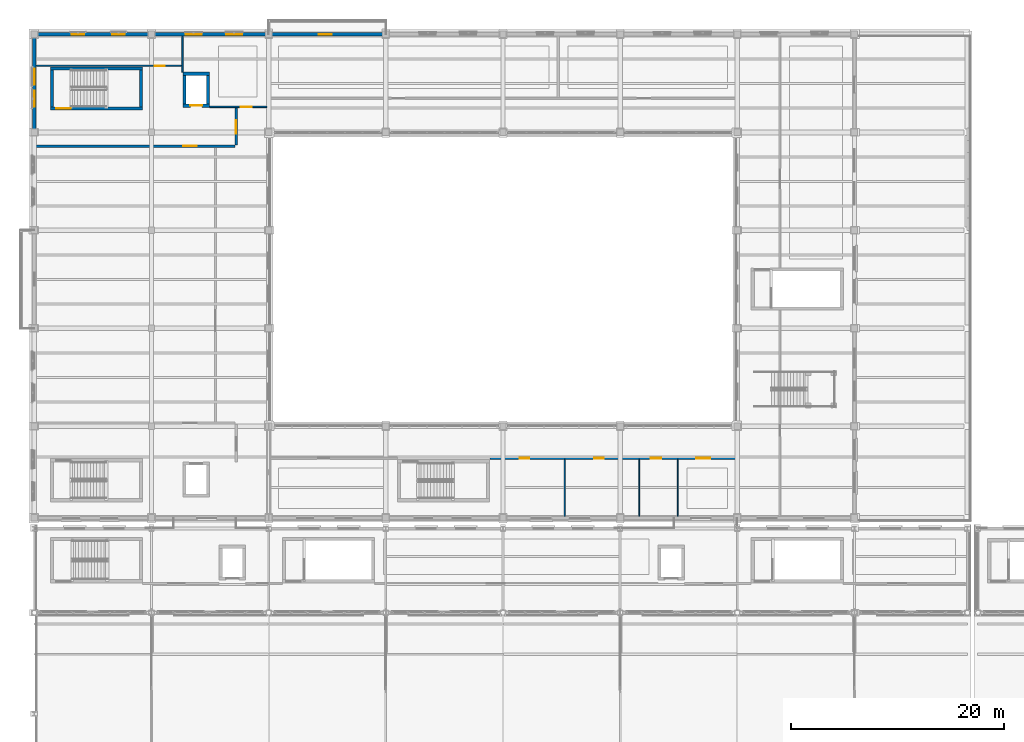
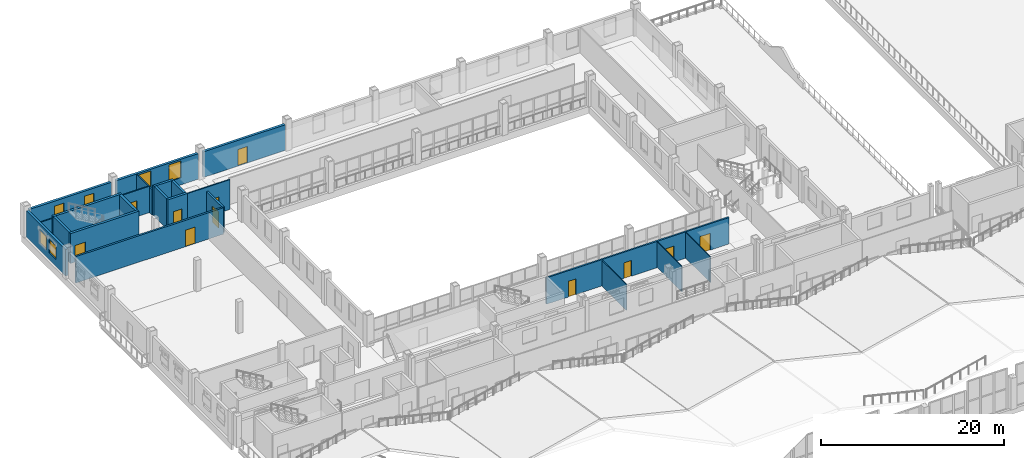
# One storey, part 98 of 120: 21 walls, 11 doors, 6 windows, 17 openings.
"""IFC4 building model written with IfcOpenShell, lengths in metres."""

from ifc_helpers import new_model, si_unit, direction, frame, frame_2d, origin, place, context, subcontext, project, spatial, rectangle, extrude, material, layer, layer_set, type_object, element, fill, save


model = new_model("IFC4")

# Units and contexts
model_context = context("Model", 3, precision=1e-05, world=origin(), true_north=direction((0.0, 1.0)))
body_context = subcontext(model_context, "Body", "Model", "MODEL_VIEW")
ifc_project = project(units=[si_unit("LENGTHUNIT", "METRE"), si_unit("AREAUNIT", "SQUARE_METRE"), si_unit("VOLUMEUNIT", "CUBIC_METRE"), si_unit("PLANEANGLEUNIT", "RADIAN"), si_unit("MASSUNIT", "GRAM", prefix="KILO")], contexts=[model_context])

# Site, building, storey
site_placement = place(None, origin())
site = spatial("IfcSite", under=ifc_project, at=site_placement, CompositionType="ELEMENT")
building_placement = place(site_placement, origin())
building = spatial("IfcBuilding", under=site, at=building_placement, Name="Caurita Quay Ferry Terminal", CompositionType="ELEMENT")
storey_placement = place(building_placement, frame((0.0, 0.0, 9.89990234375)))
storey = spatial("IfcBuildingStorey", under=building, at=storey_placement, Name="L02", CompositionType="ELEMENT", Elevation=9.89990234375)

# Wall, opening, door
ifc_material_1 = material(Name="Warm-white lime stucco masonry", Category="masonry")
ifc_layer_1 = layer(ifc_material_1, 0.239990234375, Name="Interior partitioning wall 240 mm")
ifc_layer_set_1 = layer_set([ifc_layer_1], Name="Warm-white lime stucco masonry")
wall_type_1 = type_object("IfcWallType", Name="WL-COMP-240", PredefinedType="PARTITIONING", material=ifc_layer_set_1)
wall_1_placement = place(storey_placement, frame((0.159912109375, 106.5, 0.0), z_axis=(0.0, 0.0, 1.0), x_axis=(1.0, 0.0, 0.0)))
wall_1 = element("IfcWall", 1, at=wall_1_placement, inside=storey, type_object=wall_type_1, Name="L02 Interior Partition IW-L02-081", PredefinedType="PARTITIONING", context=body_context, shape_type="SweptSolid", body=[
    extrude(rectangle(XDim=18.6650390625, YDim=0.239990234375, at=frame_2d((9.33251953125, 0.0))), origin(), (0.0, 0.0, 1.0), 3.525146484375),
])
opening_1_placement = place(wall_1_placement, frame((13.840087890625, 0.0, 0.0)))
opening_1 = element("IfcOpeningElement", 2, at=opening_1_placement, cuts=wall_1, Name="Opening FD-01", PredefinedType="OPENING", context=body_context, shape_type="SweptSolid", body=[
    extrude(rectangle(XDim=1.25, YDim=2.199951171875, at=frame_2d((0.625, 1.10009765625))), frame((0.0, 0.1298828125, 0.0), z_axis=(0.0, -1.0, 0.0), x_axis=(1.0, 0.0, 0.0)), (0.0, 0.0, 1.0), 0.260009765625),
])
ifc_material_2 = material(Name="Anodized aluminium 6063-T6", Category="aluminium")
door_type_1 = type_object("IfcDoorType", Name="DR-FF-1100", OperationType="NOTDEFINED", PredefinedType="DOOR", material=ifc_material_2)
door_1_placement = place(opening_1_placement, frame((1.25, 0.0, 0.0), z_axis=(0.0, 0.0, 1.0), x_axis=(-1.0, 0.0, 0.0)))
door_1 = element("IfcDoor", 3, at=door_1_placement, inside=storey, type_object=door_type_1, Name="Firefighting Lobby L02 North Door", OperationType="SINGLE_SWING_RIGHT", OverallHeight=2.199951171875, OverallWidth=1.25, PredefinedType="DOOR", context=body_context, shape_type="SweptSolid", body=[
    extrude(rectangle(XDim=1.25, YDim=2.199951171875, at=frame_2d((0.625, 1.10009765625))), frame((0.0, 0.02490234375, 0.0), z_axis=(0.0, -1.0, 0.0), x_axis=(1.0, 0.0, 0.0)), (0.0, 0.0, 1.0), 0.050048828125),
])
fill(opening_1, door_1)

wall_2_placement = place(storey_placement, frame((18.949951171875, 106.625, 0.0), z_axis=(0.0, 0.0, 1.0), x_axis=(0.0, 1.0, 0.0)))
wall_2 = element("IfcWall", 4, at=wall_2_placement, inside=storey, type_object=wall_type_1, Name="L02 Interior Partition IW-L02-084", PredefinedType="PARTITIONING", context=body_context, shape_type="SweptSolid", body=[
    extrude(rectangle(XDim=3.49755859375, YDim=0.239990234375, at=frame_2d((1.748779296875, 0.0))), origin(), (0.0, 0.0, 1.0), 3.425048828125),
])
opening_2_placement = place(wall_2_placement, frame((1.054931640625, 0.0, 0.0)))
opening_2 = element("IfcOpeningElement", 5, at=opening_2_placement, cuts=wall_2, Name="Opening FD-01", PredefinedType="OPENING", context=body_context, shape_type="SweptSolid", body=[
    extrude(rectangle(XDim=1.25, YDim=2.199951171875, at=frame_2d((0.625, 1.10009765625))), frame((0.0, 0.1298828125, 0.0), z_axis=(0.0, -1.0, 0.0), x_axis=(1.0, 0.0, 0.0)), (0.0, 0.0, 1.0), 0.260009765625),
])
door_2_placement = place(opening_2_placement, origin())
door_2 = element("IfcDoor", 6, at=door_2_placement, inside=storey, type_object=door_type_1, Name="Firefighting Lobby L02 North East Door", OperationType="SINGLE_SWING_LEFT", OverallHeight=2.199951171875, OverallWidth=1.25, PredefinedType="DOOR", context=body_context, shape_type="SweptSolid", body=[
    extrude(rectangle(XDim=1.25, YDim=2.199951171875, at=frame_2d((0.625, 1.10009765625))), frame((0.0, 0.02490234375, 0.0), z_axis=(0.0, -1.0, 0.0), x_axis=(1.0, 0.0, 0.0)), (0.0, 0.0, 1.0), 0.050048828125),
])
fill(opening_2, door_2)

ifc_material_3 = material(Name="Reinforced concrete C35/45", Category="concrete")
ifc_layer_2 = layer(ifc_material_3, 0.300048828125, Name="Interior shear wall 300 mm")
ifc_layer_set_2 = layer_set([ifc_layer_2], Name="Reinforced concrete C35/45")
wall_type_2 = type_object("IfcWallType", Name="WL-CORE-300", PredefinedType="SHEAR", material=ifc_layer_set_2)
wall_3_placement = place(storey_placement, frame((1.5, 110.050048828125, 0.0), z_axis=(0.0, 0.0, 1.0), x_axis=(1.0, 0.0, 0.0)))
wall_3 = element("IfcWall", 7, at=wall_3_placement, inside=storey, type_object=wall_type_2, Name="L02 ST-01 Core Wall South", PredefinedType="SHEAR", context=body_context, shape_type="SweptSolid", body=[
    extrude(rectangle(XDim=8.64990234375, YDim=0.300048828125, at=frame_2d((4.324951171875, 0.0))), origin(), (0.0, 0.0, 1.0), 3.97998046875),
])
opening_3_placement = place(wall_3_placement, frame((0.550048828125, 0.0, 0.0)))
opening_3 = element("IfcOpeningElement", 8, at=opening_3_placement, cuts=wall_3, Name="Opening SD-01", PredefinedType="OPENING", context=body_context, shape_type="SweptSolid", body=[
    extrude(rectangle(XDim=1.35009765625, YDim=2.199951171875, at=frame_2d((0.675048828125, 1.10009765625))), frame((0.0, 0.159912109375, 0.0), z_axis=(0.0, -1.0, 0.0), x_axis=(1.0, 0.0, 0.0)), (0.0, 0.0, 1.0), 0.320068359375),
])
door_type_2 = type_object("IfcDoorType", Name="DR-ST-1200", OperationType="NOTDEFINED", PredefinedType="DOOR", material=ifc_material_2)
door_3_placement = place(opening_3_placement, origin())
door_3 = element("IfcDoor", 9, at=door_3_placement, inside=storey, type_object=door_type_2, Name="L02 Exit Stair ST-01 Fire Door", OperationType="SINGLE_SWING_LEFT", OverallHeight=2.199951171875, OverallWidth=1.35009765625, PredefinedType="DOOR", context=body_context, shape_type="SweptSolid", body=[
    extrude(rectangle(XDim=1.35009765625, YDim=2.199951171875, at=frame_2d((0.675048828125, 1.10009765625))), frame((0.0, 0.02490234375, 0.0), z_axis=(0.0, -1.0, 0.0), x_axis=(1.0, 0.0, 0.0)), (0.0, 0.0, 1.0), 0.050048828125),
])
fill(opening_3, door_3)

# Walls
wall_4_placement = place(storey_placement, frame((10.14990234375, 113.81005859375, 0.0), z_axis=(0.0, 0.0, 1.0), x_axis=(-1.0, 0.0, 0.0)))
element("IfcWall", 10, at=wall_4_placement, inside=storey, type_object=wall_type_2, Name="L02 ST-01 Core Wall North", PredefinedType="SHEAR", context=body_context, shape_type="SweptSolid", body=[
    extrude(rectangle(XDim=8.64990234375, YDim=0.300048828125, at=frame_2d((4.324951171875, 0.0))), origin(), (0.0, 0.0, 1.0), 3.97998046875),
])
for number, where, z_axis, x_axis, name in (
    (11, (1.64990234375, 113.659912109375, 0.0), (0.0, 0.0, 1.0), (0.0, -1.0, 0.0), "L02 ST-01 Core Wall West"),
    (12, (10.0, 110.199951171875, 0.0), (0.0, 0.0, 1.0), (0.0, 1.0, 0.0), "L02 ST-01 Core Wall East"),
):
    element("IfcWall", number, at=place(storey_placement, frame(where, z_axis=z_axis, x_axis=x_axis)), inside=storey, type_object=wall_type_2, Name=name, PredefinedType="SHEAR", context=body_context, shape_type="SweptSolid", body=[
        extrude(rectangle(XDim=3.4599609375, YDim=0.300048828125, at=frame_2d((1.72998046875, 0.0))), origin(), (0.0, 0.0, 1.0), 3.97998046875),
    ])

# Wall, opening, door
wall_5_placement = place(storey_placement, frame((13.955078125, 110.304931640625, 0.0), z_axis=(0.0, 0.0, 1.0), x_axis=(1.0, 0.0, 0.0)))
wall_5 = element("IfcWall", 13, at=wall_5_placement, inside=storey, type_object=wall_type_2, Name="L02 Lift LF-01 Shaft Wall South", PredefinedType="SHEAR", context=body_context, shape_type="SweptSolid", body=[
    extrude(rectangle(XDim=2.489990234375, YDim=0.300048828125, at=frame_2d((1.2451171875, 0.0))), origin(), (0.0, 0.0, 1.0), 3.97998046875),
])
opening_4_placement = place(wall_5_placement, frame((0.695068359375, 0.0, 0.0)))
opening_4 = element("IfcOpeningElement", 14, at=opening_4_placement, cuts=wall_5, Name="Opening LD-01", PredefinedType="OPENING", context=body_context, shape_type="SweptSolid", body=[
    extrude(rectangle(XDim=1.10009765625, YDim=2.14990234375, at=frame_2d((0.550048828125, 1.074951171875))), frame((0.0, 0.159912109375, 0.0), z_axis=(0.0, -1.0, 0.0), x_axis=(1.0, 0.0, 0.0)), (0.0, 0.0, 1.0), 0.320068359375),
])
ifc_material_4 = material(Name="Bronze architectural metalwork", Category="metal")
door_type_3 = type_object("IfcDoorType", Name="DR-LD-01", OperationType="DOUBLE_DOOR_SLIDING", PredefinedType="DOOR", material=ifc_material_4)
door_4_placement = place(opening_4_placement, frame((1.10009765625, 0.0, 0.0), z_axis=(0.0, 0.0, 1.0), x_axis=(-1.0, 0.0, 0.0)))
door_4 = element("IfcDoor", 15, at=door_4_placement, inside=storey, type_object=door_type_3, Name="L02 Lift LF-01 Sliding Landing Door", OperationType="DOUBLE_DOOR_SLIDING", OverallHeight=2.14990234375, OverallWidth=1.10009765625, PredefinedType="DOOR", context=body_context, shape_type="SweptSolid", body=[
    extrude(rectangle(XDim=1.10009765625, YDim=2.14990234375, at=frame_2d((0.550048828125, 1.074951171875))), frame((0.0, 0.02490234375, 0.0), z_axis=(0.0, -1.0, 0.0), x_axis=(1.0, 0.0, 0.0)), (0.0, 0.0, 1.0), 0.050048828125),
])
fill(opening_4, door_4)

# Walls
wall_6_placement = place(storey_placement, frame((16.445068359375, 113.294921875, 0.0), z_axis=(0.0, 0.0, 1.0), x_axis=(-1.0, 0.0, 0.0)))
element("IfcWall", 16, at=wall_6_placement, inside=storey, type_object=wall_type_2, Name="L02 Lift LF-01 Shaft Wall North", PredefinedType="SHEAR", context=body_context, shape_type="SweptSolid", body=[
    extrude(rectangle(XDim=2.489990234375, YDim=0.300048828125, at=frame_2d((1.2451171875, 0.0))), origin(), (0.0, 0.0, 1.0), 3.97998046875),
])
for number, where, z_axis, x_axis, name in (
    (17, (14.10498046875, 113.14501953125, 0.0), (0.0, 0.0, 1.0), (0.0, -1.0, 0.0), "L02 Lift LF-01 Shaft Wall West"),
    (18, (16.294921875, 110.455078125, 0.0), (0.0, 0.0, 1.0), (0.0, 1.0, 0.0), "L02 Lift LF-01 Shaft Wall East"),
):
    element("IfcWall", number, at=place(storey_placement, frame(where, z_axis=z_axis, x_axis=x_axis)), inside=storey, type_object=wall_type_2, Name=name, PredefinedType="SHEAR", context=body_context, shape_type="SweptSolid", body=[
        extrude(rectangle(XDim=2.68994140625, YDim=0.300048828125, at=frame_2d((1.344970703125, 0.0))), origin(), (0.0, 0.0, 1.0), 3.97998046875),
    ])

# Wall, openings, doors
ifc_layer_3 = layer(ifc_material_1, 0.199951171875, Name="Interior partitioning wall 200 mm")
ifc_layer_set_3 = layer_set([ifc_layer_3], Name="Warm-white lime stucco masonry")
wall_type_3 = type_object("IfcWallType", Name="WL-CORR-200", PredefinedType="PARTITIONING", material=ifc_layer_set_3)
wall_7_placement = place(storey_placement, frame((42.760009765625, 77.199951171875, 0.0), z_axis=(0.0, 0.0, 1.0), x_axis=(1.0, 0.0, 0.0)))
wall_7 = element("IfcWall", 19, at=wall_7_placement, inside=storey, type_object=wall_type_3, Name="L02 Interior Partition IW-L02-094", PredefinedType="PARTITIONING", context=body_context, shape_type="SweptSolid", body=[
    extrude(rectangle(XDim=23.080078125, YDim=0.199951171875, at=frame_2d((11.5400390625, 0.0))), origin(), (0.0, 0.0, 1.0), 3.525146484375),
])
opening_5_placement = place(wall_7_placement, frame((2.800048828125, 0.0, 0.0)))
opening_5 = element("IfcOpeningElement", 20, at=opening_5_placement, cuts=wall_7, Name="Opening ID-07", PredefinedType="OPENING", context=body_context, shape_type="SweptSolid", body=[
    extrude(rectangle(XDim=0.919921875, YDim=2.10009765625, at=frame_2d((0.4599609375, 1.050048828125))), frame((0.0, 0.10986328125, 0.0), z_axis=(0.0, -1.0, 0.0), x_axis=(1.0, 0.0, 0.0)), (0.0, 0.0, 1.0), 0.219970703125),
])
opening_6_placement = place(wall_7_placement, frame((9.800048828125, 0.0, 0.0)))
opening_6 = element("IfcOpeningElement", 21, at=opening_6_placement, cuts=wall_7, Name="Opening ID-07", PredefinedType="OPENING", context=body_context, shape_type="SweptSolid", body=[
    extrude(rectangle(XDim=0.919921875, YDim=2.10009765625, at=frame_2d((0.4599609375, 1.050048828125))), frame((0.0, 0.10986328125, 0.0), z_axis=(0.0, -1.0, 0.0), x_axis=(1.0, 0.0, 0.0)), (0.0, 0.0, 1.0), 0.219970703125),
])
opening_7_placement = place(wall_7_placement, frame((15.10009765625, 0.0, 0.0)))
opening_7 = element("IfcOpeningElement", 22, at=opening_7_placement, cuts=wall_7, Name="Opening ID-08", PredefinedType="OPENING", context=body_context, shape_type="SweptSolid", body=[
    extrude(rectangle(XDim=1.02001953125, YDim=2.14990234375, at=frame_2d((0.510009765625, 1.074951171875))), frame((0.0, 0.10986328125, 0.0), z_axis=(0.0, -1.0, 0.0), x_axis=(1.0, 0.0, 0.0)), (0.0, 0.0, 1.0), 0.219970703125),
])
opening_8_placement = place(wall_7_placement, frame((19.39990234375, 0.0, 0.0)))
opening_8 = element("IfcOpeningElement", 23, at=opening_8_placement, cuts=wall_7, Name="Opening ID-12", PredefinedType="OPENING", context=body_context, shape_type="SweptSolid", body=[
    extrude(rectangle(XDim=1.300048828125, YDim=2.25, at=frame_2d((0.64990234375, 1.125))), frame((0.0, 0.10986328125, 0.0), z_axis=(0.0, -1.0, 0.0), x_axis=(1.0, 0.0, 0.0)), (0.0, 0.0, 1.0), 0.219970703125),
])
ifc_material_5 = material(Name="Tropical mahogany hardwood", Category="wood")
door_type_4 = type_object("IfcDoorType", Name="DR-AWC-1020", OperationType="NOTDEFINED", PredefinedType="DOOR", material=ifc_material_5)
door_5_placement = place(opening_7_placement, frame((1.02001953125, 0.0, 0.0), z_axis=(0.0, 0.0, 1.0), x_axis=(-1.0, 0.0, 0.0)))
door_5 = element("IfcDoor", 24, at=door_5_placement, inside=storey, type_object=door_type_4, Name="Gallery Accessible WC L02 Door", OperationType="SINGLE_SWING_RIGHT", OverallHeight=2.14990234375, OverallWidth=1.02001953125, PredefinedType="DOOR", context=body_context, shape_type="SweptSolid", body=[
    extrude(rectangle(XDim=1.02001953125, YDim=2.14990234375, at=frame_2d((0.510009765625, 1.074951171875))), frame((0.0, 0.02490234375, 0.0), z_axis=(0.0, -1.0, 0.0), x_axis=(1.0, 0.0, 0.0)), (0.0, 0.0, 1.0), 0.050048828125),
])
fill(opening_7, door_5)
door_type_5 = type_object("IfcDoorType", Name="DR-STR-1300", OperationType="NOTDEFINED", PredefinedType="DOOR", material=ifc_material_2)
door_6_placement = place(opening_8_placement, origin())
door_6 = element("IfcDoor", 25, at=door_6_placement, inside=storey, type_object=door_type_5, Name="Gallery Cleaners Store L02 Door", OperationType="SINGLE_SWING_LEFT", OverallHeight=2.25, OverallWidth=1.300048828125, PredefinedType="DOOR", context=body_context, shape_type="SweptSolid", body=[
    extrude(rectangle(XDim=1.300048828125, YDim=2.25, at=frame_2d((0.64990234375, 1.125))), frame((0.0, 0.02490234375, 0.0), z_axis=(0.0, -1.0, 0.0), x_axis=(1.0, 0.0, 0.0)), (0.0, 0.0, 1.0), 0.050048828125),
])
fill(opening_8, door_6)
door_type_6 = type_object("IfcDoorType", Name="DR-WC-0920", OperationType="NOTDEFINED", PredefinedType="DOOR", material=ifc_material_5)
door_7_placement = place(opening_5_placement, frame((0.919921875, 0.0, 0.0), z_axis=(0.0, 0.0, 1.0), x_axis=(-1.0, 0.0, 0.0)))
door_7 = element("IfcDoor", 26, at=door_7_placement, inside=storey, type_object=door_type_6, Name="Gallery Male WC L02 Door", OperationType="SINGLE_SWING_RIGHT", OverallHeight=2.10009765625, OverallWidth=0.919921875, PredefinedType="DOOR", context=body_context, shape_type="SweptSolid", body=[
    extrude(rectangle(XDim=0.919921875, YDim=2.10009765625, at=frame_2d((0.4599609375, 1.050048828125))), frame((0.0, 0.02490234375, 0.0), z_axis=(0.0, -1.0, 0.0), x_axis=(1.0, 0.0, 0.0)), (0.0, 0.0, 1.0), 0.050048828125),
])
fill(opening_5, door_7)
door_8_placement = place(opening_6_placement, origin())
door_8 = element("IfcDoor", 27, at=door_8_placement, inside=storey, type_object=door_type_6, Name="Gallery Female WC L02 Door", OperationType="SINGLE_SWING_LEFT", OverallHeight=2.10009765625, OverallWidth=0.919921875, PredefinedType="DOOR", context=body_context, shape_type="SweptSolid", body=[
    extrude(rectangle(XDim=0.919921875, YDim=2.10009765625, at=frame_2d((0.4599609375, 1.050048828125))), frame((0.0, 0.02490234375, 0.0), z_axis=(0.0, -1.0, 0.0), x_axis=(1.0, 0.0, 0.0)), (0.0, 0.0, 1.0), 0.050048828125),
])
fill(opening_6, door_8)

# Wall, openings, windows
ifc_layer_4 = layer(ifc_material_1, 0.31005859375, Name="Exterior solidwall wall 310 mm")
ifc_layer_set_4 = layer_set([ifc_layer_4], Name="Warm-white lime stucco masonry")
wall_type_4 = type_object("IfcWallType", Name="WL-EXT-310", PredefinedType="SOLIDWALL", material=ifc_layer_set_4)
wall_8_placement = place(storey_placement, frame((10.701904296875, 117.0, 0.0), z_axis=(0.0, 0.0, 1.0), x_axis=(-1.0, 0.0, 0.0)))
wall_8 = element("IfcWall", 28, at=wall_8_placement, inside=storey, type_object=wall_type_4, Name="L02 Exterior Wall EW-L02-017", PredefinedType="SOLIDWALL", context=body_context, shape_type="SweptSolid", body=[
    extrude(rectangle(XDim=10.40380859375, YDim=0.31005859375, at=frame_2d((5.201904296875, 0.0))), origin(), (0.0, 0.0, 1.0), 3.425048828125),
])
opening_9_placement = place(wall_8_placement, frame((2.201904296875, 0.0, 0.949951171875)))
opening_9 = element("IfcOpeningElement", 29, at=opening_9_placement, cuts=wall_8, Name="Opening W-03", PredefinedType="OPENING", context=body_context, shape_type="SweptSolid", body=[
    extrude(rectangle(XDim=1.199951171875, YDim=1.800048828125, at=frame_2d((0.60009765625, 0.89990234375))), frame((0.0, 0.1650390625, 0.0), z_axis=(0.0, -1.0, 0.0), x_axis=(1.0, 0.0, 0.0)), (0.0, 0.0, 1.0), 0.330078125),
])
opening_10_placement = place(wall_8_placement, frame((6.001953125, 0.0, 0.949951171875)))
opening_10 = element("IfcOpeningElement", 30, at=opening_10_placement, cuts=wall_8, Name="Opening W-03", PredefinedType="OPENING", context=body_context, shape_type="SweptSolid", body=[
    extrude(rectangle(XDim=1.199951171875, YDim=1.800048828125, at=frame_2d((0.60009765625, 0.89990234375))), frame((0.0, 0.1650390625, 0.0), z_axis=(0.0, -1.0, 0.0), x_axis=(1.0, 0.0, 0.0)), (0.0, 0.0, 1.0), 0.330078125),
])
ifc_material_6 = material(Name="Laminated solar-control insulated glass", Category="glass")
window_type_1 = type_object("IfcWindowType", Name="WIN-SC-1218", PartitioningType="SINGLE_PANEL", PredefinedType="WINDOW", material=ifc_material_6)
window_1_placement = place(opening_9_placement, origin())
window_1 = element("IfcWindow", 31, at=window_1_placement, inside=storey, type_object=window_type_1, Name="L02 Casement Window WN-L02-021", OverallHeight=1.800048828125, OverallWidth=1.199951171875, PartitioningType="SINGLE_PANEL", PredefinedType="WINDOW", context=body_context, shape_type="SweptSolid", body=[
    extrude(rectangle(XDim=1.199951171875, YDim=1.800048828125, at=frame_2d((0.60009765625, 0.89990234375))), frame((0.0, 0.030029296875, 0.0), z_axis=(0.0, -1.0, 0.0), x_axis=(1.0, 0.0, 0.0)), (0.0, 0.0, 1.0), 0.06005859375),
])
fill(opening_9, window_1)
window_2_placement = place(opening_10_placement, origin())
window_2 = element("IfcWindow", 32, at=window_2_placement, inside=storey, type_object=window_type_1, Name="L02 Casement Window WN-L02-022", OverallHeight=1.800048828125, OverallWidth=1.199951171875, PartitioningType="SINGLE_PANEL", PredefinedType="WINDOW", context=body_context, shape_type="SweptSolid", body=[
    extrude(rectangle(XDim=1.199951171875, YDim=1.800048828125, at=frame_2d((0.60009765625, 0.89990234375))), frame((0.0, 0.030029296875, 0.0), z_axis=(0.0, -1.0, 0.0), x_axis=(1.0, 0.0, 0.0)), (0.0, 0.0, 1.0), 0.06005859375),
])
fill(opening_10, window_2)

wall_9_placement = place(storey_placement, frame((21.701904296875, 117.0, 0.0), z_axis=(0.0, 0.0, 1.0), x_axis=(-1.0, 0.0, 0.0)))
wall_9 = element("IfcWall", 33, at=wall_9_placement, inside=storey, type_object=wall_type_4, Name="L02 Exterior Wall EW-L02-018", PredefinedType="SOLIDWALL", context=body_context, shape_type="SweptSolid", body=[
    extrude(rectangle(XDim=10.40380859375, YDim=0.31005859375, at=frame_2d((5.201904296875, 0.0))), origin(), (0.0, 0.0, 1.0), 3.425048828125),
])
opening_11_placement = place(wall_9_placement, frame((2.201904296875, 0.0, 0.949951171875)))
opening_11 = element("IfcOpeningElement", 34, at=opening_11_placement, cuts=wall_9, Name="Opening W-07", PredefinedType="OPENING", context=body_context, shape_type="SweptSolid", body=[
    extrude(rectangle(XDim=1.5, YDim=2.25, at=frame_2d((0.75, 1.125))), frame((0.0, 0.1650390625, 0.0), z_axis=(0.0, -1.0, 0.0), x_axis=(1.0, 0.0, 0.0)), (0.0, 0.0, 1.0), 0.330078125),
])
opening_12_placement = place(wall_9_placement, frame((6.001953125, 0.0, 0.949951171875)))
opening_12 = element("IfcOpeningElement", 35, at=opening_12_placement, cuts=wall_9, Name="Opening W-07", PredefinedType="OPENING", context=body_context, shape_type="SweptSolid", body=[
    extrude(rectangle(XDim=1.5, YDim=2.25, at=frame_2d((0.75, 1.125))), frame((0.0, 0.1650390625, 0.0), z_axis=(0.0, -1.0, 0.0), x_axis=(1.0, 0.0, 0.0)), (0.0, 0.0, 1.0), 0.330078125),
])
window_type_2 = type_object("IfcWindowType", Name="WIN-SC-1522", PartitioningType="SINGLE_PANEL", PredefinedType="WINDOW", material=ifc_material_6)
window_3_placement = place(opening_11_placement, origin())
window_3 = element("IfcWindow", 36, at=window_3_placement, inside=storey, type_object=window_type_2, Name="L02 Casement Window WN-L02-023", OverallHeight=2.25, OverallWidth=1.5, PartitioningType="SINGLE_PANEL", PredefinedType="WINDOW", context=body_context, shape_type="SweptSolid", body=[
    extrude(rectangle(XDim=1.5, YDim=2.25, at=frame_2d((0.75, 1.125))), frame((0.0, 0.030029296875, 0.0), z_axis=(0.0, -1.0, 0.0), x_axis=(1.0, 0.0, 0.0)), (0.0, 0.0, 1.0), 0.06005859375),
])
fill(opening_11, window_3)
window_4_placement = place(opening_12_placement, origin())
window_4 = element("IfcWindow", 37, at=window_4_placement, inside=storey, type_object=window_type_2, Name="L02 Casement Window WN-L02-024", OverallHeight=2.25, OverallWidth=1.5, PartitioningType="SINGLE_PANEL", PredefinedType="WINDOW", context=body_context, shape_type="SweptSolid", body=[
    extrude(rectangle(XDim=1.5, YDim=2.25, at=frame_2d((0.75, 1.125))), frame((0.0, 0.030029296875, 0.0), z_axis=(0.0, -1.0, 0.0), x_axis=(1.0, 0.0, 0.0)), (0.0, 0.0, 1.0), 0.06005859375),
])
fill(opening_12, window_4)

# Wall, opening, door
wall_10_placement = place(storey_placement, frame((32.701904296875, 117.0, 0.0), z_axis=(0.0, 0.0, 1.0), x_axis=(-1.0, 0.0, 0.0)))
wall_10 = element("IfcWall", 38, at=wall_10_placement, inside=storey, type_object=wall_type_4, Name="L02 Exterior Wall EW-L02-019", PredefinedType="SOLIDWALL", context=body_context, shape_type="SweptSolid", body=[
    extrude(rectangle(XDim=10.40380859375, YDim=0.31005859375, at=frame_2d((5.201904296875, 0.0))), origin(), (0.0, 0.0, 1.0), 3.425048828125),
])
opening_13_placement = place(wall_10_placement, frame((4.802001953125, 0.0, 0.0)))
opening_13 = element("IfcOpeningElement", 39, at=opening_13_placement, cuts=wall_10, Name="Opening TD-01", PredefinedType="OPENING", context=body_context, shape_type="SweptSolid", body=[
    extrude(rectangle(XDim=1.199951171875, YDim=2.199951171875, at=frame_2d((0.60009765625, 1.10009765625))), frame((0.0, 0.1650390625, 0.0), z_axis=(0.0, -1.0, 0.0), x_axis=(1.0, 0.0, 0.0)), (0.0, 0.0, 1.0), 0.330078125),
])
door_type_7 = type_object("IfcDoorType", Name="DR-TER-1222", OperationType="NOTDEFINED", PredefinedType="DOOR", material=ifc_material_2)
door_9_placement = place(opening_13_placement, frame((1.199951171875, 0.0, 0.0), z_axis=(0.0, 0.0, 1.0), x_axis=(-1.0, 0.0, 0.0)))
door_9 = element("IfcDoor", 40, at=door_9_placement, inside=storey, type_object=door_type_7, Name="L02 North Rejas Balcony Door TD-BN-L02", OperationType="SINGLE_SWING_LEFT", OverallHeight=2.199951171875, OverallWidth=1.199951171875, PredefinedType="DOOR", context=body_context, shape_type="SweptSolid", body=[
    extrude(rectangle(XDim=1.199951171875, YDim=2.199951171875, at=frame_2d((0.60009765625, 1.10009765625))), frame((0.0, 0.02490234375, 0.0), z_axis=(0.0, -1.0, 0.0), x_axis=(1.0, 0.0, 0.0)), (0.0, 0.0, 1.0), 0.050048828125),
])
fill(opening_13, door_9)

# Wall, openings, windows
wall_11_placement = place(storey_placement, frame((0.0, 116.701904296875, 0.0), z_axis=(0.0, 0.0, 1.0), x_axis=(0.0, -1.0, 0.0)))
wall_11 = element("IfcWall", 41, at=wall_11_placement, inside=storey, type_object=wall_type_4, Name="L02 Exterior Wall EW-L02-046", PredefinedType="SOLIDWALL", context=body_context, shape_type="SweptSolid", body=[
    extrude(rectangle(XDim=8.60400390625, YDim=0.31005859375, at=frame_2d((4.302001953125, 0.0))), origin(), (0.0, 0.0, 1.0), 3.525146484375),
])
opening_14_placement = place(wall_11_placement, frame((2.9169921875, 0.0, 0.949951171875)))
opening_14 = element("IfcOpeningElement", 42, at=opening_14_placement, cuts=wall_11, Name="Opening W-06", PredefinedType="OPENING", context=body_context, shape_type="SweptSolid", body=[
    extrude(rectangle(XDim=1.5, YDim=1.800048828125, at=frame_2d((0.75, 0.89990234375))), frame((0.0, 0.1650390625, 0.0), z_axis=(0.0, -1.0, 0.0), x_axis=(1.0, 0.0, 0.0)), (0.0, 0.0, 1.0), 0.330078125),
])
opening_15_placement = place(wall_11_placement, frame((5.001953125, 0.0, 0.949951171875)))
opening_15 = element("IfcOpeningElement", 43, at=opening_15_placement, cuts=wall_11, Name="Opening W-06", PredefinedType="OPENING", context=body_context, shape_type="SweptSolid", body=[
    extrude(rectangle(XDim=1.5, YDim=1.800048828125, at=frame_2d((0.75, 0.89990234375))), frame((0.0, 0.1650390625, 0.0), z_axis=(0.0, -1.0, 0.0), x_axis=(1.0, 0.0, 0.0)), (0.0, 0.0, 1.0), 0.330078125),
])
window_type_3 = type_object("IfcWindowType", Name="WIN-SC-1518", PartitioningType="SINGLE_PANEL", PredefinedType="WINDOW", material=ifc_material_6)
window_5_placement = place(opening_14_placement, origin())
window_5 = element("IfcWindow", 44, at=window_5_placement, inside=storey, type_object=window_type_3, Name="L02 Casement Window WN-L02-067", OverallHeight=1.800048828125, OverallWidth=1.5, PartitioningType="SINGLE_PANEL", PredefinedType="WINDOW", context=body_context, shape_type="SweptSolid", body=[
    extrude(rectangle(XDim=1.5, YDim=1.800048828125, at=frame_2d((0.75, 0.89990234375))), frame((0.0, 0.030029296875, 0.0), z_axis=(0.0, -1.0, 0.0), x_axis=(1.0, 0.0, 0.0)), (0.0, 0.0, 1.0), 0.06005859375),
])
fill(opening_14, window_5)
window_6_placement = place(opening_15_placement, origin())
window_6 = element("IfcWindow", 45, at=window_6_placement, inside=storey, type_object=window_type_3, Name="L02 Casement Window WN-L02-068", OverallHeight=1.800048828125, OverallWidth=1.5, PartitioningType="SINGLE_PANEL", PredefinedType="WINDOW", context=body_context, shape_type="SweptSolid", body=[
    extrude(rectangle(XDim=1.5, YDim=1.800048828125, at=frame_2d((0.75, 0.89990234375))), frame((0.0, 0.030029296875, 0.0), z_axis=(0.0, -1.0, 0.0), x_axis=(1.0, 0.0, 0.0)), (0.0, 0.0, 1.0), 0.06005859375),
])
fill(opening_15, window_6)

# Walls
ifc_material_7 = material(Name="Gypsum board partition", Category="masonry")
ifc_layer_5 = layer(ifc_material_7, 0.10009765625, Name="Interior partitioning wall 100 mm")
ifc_layer_set_5 = layer_set([ifc_layer_5], Name="Gypsum board partition")
wall_type_5 = type_object("IfcWallType", Name="WL-PART-100", PredefinedType="PARTITIONING", material=ifc_layer_set_5)
for number, where, z_axis, x_axis, name in (
    (46, (49.800048828125, 71.7451171875, 0.0), (0.0, 0.0, 1.0), (0.0, 1.0, 0.0), "L02 Interior Partition IW-L02-095"),
    (47, (56.800048828125, 71.7451171875, 0.0), (0.0, 0.0, 1.0), (0.0, 1.0, 0.0), "L02 Interior Partition IW-L02-096"),
    (48, (60.39990234375, 71.7451171875, 0.0), (0.0, 0.0, 1.0), (0.0, 1.0, 0.0), "L02 Interior Partition IW-L02-097"),
):
    element("IfcWall", number, at=place(storey_placement, frame(where, z_axis=z_axis, x_axis=x_axis)), inside=storey, type_object=wall_type_5, Name=name, PredefinedType="PARTITIONING", context=body_context, shape_type="SweptSolid", body=[
        extrude(rectangle(XDim=5.349853515625, YDim=0.10009765625, at=frame_2d((2.6748046875, 0.0))), origin(), (0.0, 0.0, 1.0), 3.425048828125),
    ])

# Wall, opening, door
ifc_layer_6 = layer(ifc_material_7, 0.1298828125, Name="Interior partitioning wall 130 mm")
ifc_layer_set_6 = layer_set([ifc_layer_6], Name="Gypsum board partition")
wall_type_6 = type_object("IfcWallType", Name="WL-PART-130", PredefinedType="PARTITIONING", material=ifc_layer_set_6)
wall_12_placement = place(storey_placement, frame((0.159912109375, 114.050048828125, 0.0), z_axis=(0.0, 0.0, 1.0), x_axis=(1.0, 0.0, 0.0)))
wall_12 = element("IfcWall", 49, at=wall_12_placement, inside=storey, type_object=wall_type_6, Name="L02 Interior Partition IW-L02-086", PredefinedType="PARTITIONING", context=body_context, shape_type="SweptSolid", body=[
    extrude(rectangle(XDim=13.670166015625, YDim=0.1298828125, at=frame_2d((6.8349609375, 0.0))), origin(), (0.0, 0.0, 1.0), 3.525146484375),
])
opening_16_placement = place(wall_12_placement, frame((11.139892578125, 0.0, 0.0)))
opening_16 = element("IfcOpeningElement", 50, at=opening_16_placement, cuts=wall_12, Name="Opening ID-06", PredefinedType="OPENING", context=body_context, shape_type="SweptSolid", body=[
    extrude(rectangle(XDim=0.949951171875, YDim=2.14990234375, at=frame_2d((0.47509765625, 1.074951171875))), frame((0.0, 0.074951171875, 0.0), z_axis=(0.0, -1.0, 0.0), x_axis=(1.0, 0.0, 0.0)), (0.0, 0.0, 1.0), 0.14990234375),
])
door_type_8 = type_object("IfcDoorType", Name="DR-OFF-0950", OperationType="NOTDEFINED", PredefinedType="DOOR", material=ifc_material_5)
door_10_placement = place(opening_16_placement, origin())
door_10 = element("IfcDoor", 51, at=door_10_placement, inside=storey, type_object=door_type_8, Name="Customs Bonded Office Door", OperationType="SINGLE_SWING_LEFT", OverallHeight=2.14990234375, OverallWidth=0.949951171875, PredefinedType="DOOR", context=body_context, shape_type="SweptSolid", body=[
    extrude(rectangle(XDim=0.949951171875, YDim=2.14990234375, at=frame_2d((0.47509765625, 1.074951171875))), frame((0.0, 0.02490234375, 0.0), z_axis=(0.0, -1.0, 0.0), x_axis=(1.0, 0.0, 0.0)), (0.0, 0.0, 1.0), 0.050048828125),
])
fill(opening_16, door_10)

# Wall
wall_13_placement = place(storey_placement, frame((13.89990234375, 113.449951171875, 0.0), z_axis=(0.0, 0.0, 1.0), x_axis=(0.0, 1.0, 0.0)))
element("IfcWall", 52, at=wall_13_placement, inside=storey, type_object=wall_type_6, Name="L02 Interior Partition IW-L02-087", PredefinedType="PARTITIONING", context=body_context, shape_type="SweptSolid", body=[
    extrude(rectangle(XDim=3.39013671875, YDim=0.1298828125, at=frame_2d((1.695068359375, 0.0))), origin(), (0.0, 0.0, 1.0), 3.425048828125),
])

# Wall, opening, door
ifc_layer_7 = layer(ifc_material_7, 0.14501953125, Name="Interior partitioning wall 145 mm")
ifc_layer_set_7 = layer_set([ifc_layer_7], Name="Gypsum board partition")
wall_type_7 = type_object("IfcWallType", Name="WL-PART-145", PredefinedType="PARTITIONING", material=ifc_layer_set_7)
wall_14_placement = place(storey_placement, frame((16.449951171875, 110.199951171875, 0.0), z_axis=(0.0, 0.0, 1.0), x_axis=(1.0, 0.0, 0.0)))
wall_14 = element("IfcWall", 53, at=wall_14_placement, inside=storey, type_object=wall_type_7, Name="L02 Interior Partition IW-L02-088", PredefinedType="PARTITIONING", context=body_context, shape_type="SweptSolid", body=[
    extrude(rectangle(XDim=5.39013671875, YDim=0.14501953125, at=frame_2d((2.695068359375, 0.0))), origin(), (0.0, 0.0, 1.0), 3.97998046875),
])
opening_17_placement = place(wall_14_placement, frame((2.949951171875, 0.0, 0.0)))
opening_17 = element("IfcOpeningElement", 54, at=opening_17_placement, cuts=wall_14, Name="Opening ID-05", PredefinedType="OPENING", context=body_context, shape_type="SweptSolid", body=[
    extrude(rectangle(XDim=1.0, YDim=2.14990234375, at=frame_2d((0.5, 1.074951171875))), frame((0.0, 0.08251953125, 0.0), z_axis=(0.0, -1.0, 0.0), x_axis=(1.0, 0.0, 0.0)), (0.0, 0.0, 1.0), 0.1650390625),
])
door_type_9 = type_object("IfcDoorType", Name="DR-OFF-1000", OperationType="NOTDEFINED", PredefinedType="DOOR", material=ifc_material_5)
door_11_placement = place(opening_17_placement, frame((1.0, 0.0, 0.0), z_axis=(0.0, 0.0, 1.0), x_axis=(-1.0, 0.0, 0.0)))
door_11 = element("IfcDoor", 55, at=door_11_placement, inside=storey, type_object=door_type_9, Name="Biosecurity Lab Door", OperationType="SINGLE_SWING_RIGHT", OverallHeight=2.14990234375, OverallWidth=1.0, PredefinedType="DOOR", context=body_context, shape_type="SweptSolid", body=[
    extrude(rectangle(XDim=1.0, YDim=2.14990234375, at=frame_2d((0.5, 1.074951171875))), frame((0.0, 0.02490234375, 0.0), z_axis=(0.0, -1.0, 0.0), x_axis=(1.0, 0.0, 0.0)), (0.0, 0.0, 1.0), 0.050048828125),
])
fill(opening_17, door_11)

save(model, "model.ifc")
